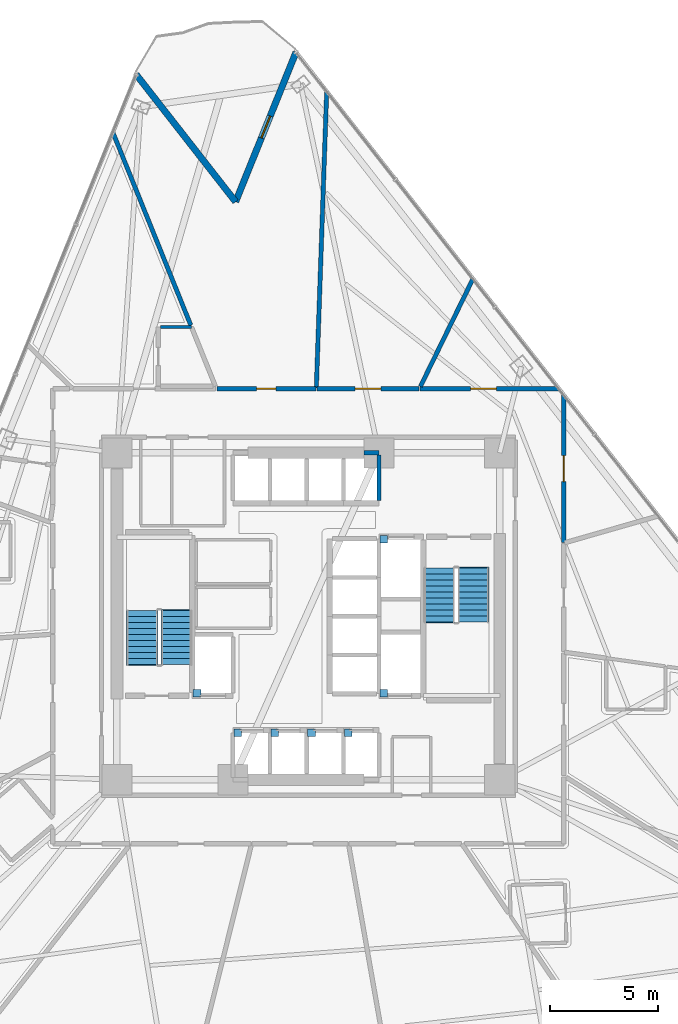
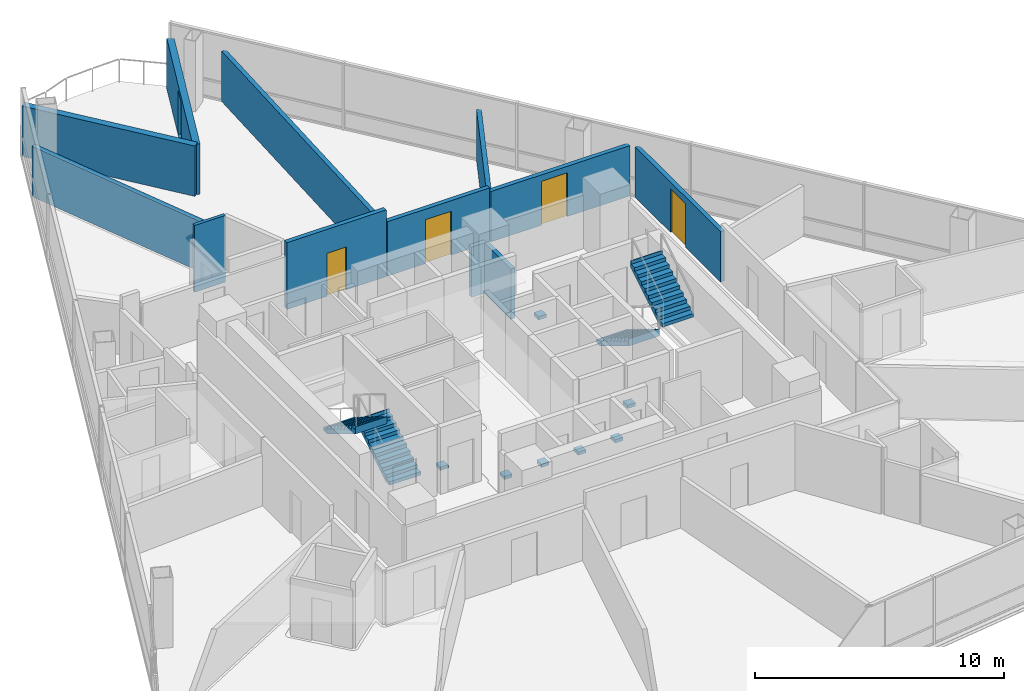
# One storey, part 10 of 15: 12 walls, 7 discrete accessories, 5 doors, 4 stair flights, 5 openings, 2 elements without a shape of their own.
"""IFC4 building model written with IfcOpenShell, lengths in metres."""

import ifcopenshell
import ifcopenshell.guid

model = None  # the IFC model being written
_history = None  # IfcOwnerHistory: only IFC2X3 demands one
_inside = {}  # id of a spatial element -> (the spatial element, [elements in it])
_under = {}  # id of a project, library or spatial element -> (it, [spatial elements below it])
_declared = {}  # id of a project -> (the project, [libraries it declares])
_typed = {}  # id of a type object -> (the type object, [elements of that type])
_made_of = {}  # id of a material, layer set ... -> (it, [elements and type objects made of it])


def new_model(schema):
    """Start an empty IFC model of exactly this schema.

    Asked for "IFC4X3", IfcOpenShell would pick the latest addendum, in which some entities
    have other attributes; the version numbers below select the first issue.
    IFC2X3 requires an IfcOwnerHistory on every rooted entity: one is made here for all.
    """
    global model, _history
    if schema == "IFC4X3":
        model = ifcopenshell.file(schema_version=(4, 3, 0, 0))
    else:
        model = ifcopenshell.file(schema=schema)
    _inside.clear()
    _under.clear()
    _declared.clear()
    _typed.clear()
    _made_of.clear()
    _history = None
    if model.schema == "IFC2X3":
        org = make("IfcOrganization", Name="unknown")
        user = make(
            "IfcPersonAndOrganization",
            ThePerson=make("IfcPerson", FamilyName="unknown"),
            TheOrganization=org,
        )
        app = make(
            "IfcApplication",
            ApplicationDeveloper=org,
            Version="unknown",
            ApplicationFullName="unknown",
            ApplicationIdentifier="unknown",
        )
        _history = make(
            "IfcOwnerHistory",
            OwningUser=user,
            OwningApplication=app,
            ChangeAction="ADDED",
            CreationDate=0,
        )
    return model


def make(cls, **values):
    """One entity of the class cls with the attributes given. An attribute that is None is left unset."""
    return model.create_entity(
        cls, **{name: value for name, value in values.items() if value is not None}
    )


def rooted(cls, **values):
    """An entity with a GlobalId (a new one), such as an element, a storey or a relation."""
    return make(cls, GlobalId=ifcopenshell.guid.new(), OwnerHistory=_history, **values)


def si_unit(unit_type, name, prefix=None):
    """IfcSIUnit, for example si_unit("LENGTHUNIT", "METRE", prefix="MILLI")."""
    return make("IfcSIUnit", UnitType=unit_type, Prefix=prefix, Name=name)


def assignment(units):
    """IfcUnitAssignment: the units of a project."""
    return None if units is None else make("IfcUnitAssignment", Units=units)


def point(xyz):
    """IfcCartesianPoint."""
    return None if xyz is None else make("IfcCartesianPoint", Coordinates=xyz)


def direction(xyz):
    """IfcDirection."""
    return None if xyz is None else make("IfcDirection", DirectionRatios=xyz)


def frame(location, z_axis=None, x_axis=None):
    """IfcAxis2Placement3D, a coordinate frame: its origin and axes. An axis left out is left unset."""
    return make(
        "IfcAxis2Placement3D",
        Location=point(location),
        Axis=direction(z_axis),
        RefDirection=direction(x_axis),
    )


def frame_2d(location, x_axis=None):
    """IfcAxis2Placement2D, a coordinate frame in the plane: its origin and x axis."""
    return make(
        "IfcAxis2Placement2D", Location=point(location), RefDirection=direction(x_axis)
    )


def origin():
    """The frame at (0, 0, 0) with its axes left unset."""
    return frame((0.0, 0.0, 0.0))


def origin_2d():
    """The frame at (0, 0) in the plane with its x axis left unset."""
    return frame_2d((0.0, 0.0))


def place(relative_to, where):
    """IfcLocalPlacement: puts the frame where relative to a parent placement (None: the world)."""
    return make(
        "IfcLocalPlacement", PlacementRelTo=relative_to, RelativePlacement=where
    )


def context(
    kind, dimensions, precision=None, world=None, true_north=None, identifier=None
):
    """IfcGeometricRepresentationContext, for example the 3D "Model" context."""
    return make(
        "IfcGeometricRepresentationContext",
        ContextIdentifier=identifier,
        ContextType=kind,
        CoordinateSpaceDimension=dimensions,
        Precision=precision,
        WorldCoordinateSystem=world,
        TrueNorth=true_north,
    )


def subcontext(parent, identifier, kind, view, scale=None):
    """IfcGeometricRepresentationSubContext, for example "Body" below "Model"."""
    return make(
        "IfcGeometricRepresentationSubContext",
        ContextIdentifier=identifier,
        ContextType=kind,
        ParentContext=parent,
        TargetScale=scale,
        TargetView=view,
    )


def project(units=None, contexts=None):
    """IfcProject with its units and contexts."""
    return rooted(
        "IfcProject",
        Name="project",
        RepresentationContexts=contexts,
        UnitsInContext=assignment(units),
    )


def spatial(cls, under=None, at=None, **own):
    """A site, building, storey or space (cls), placed at a placement, below another one or the project."""
    s = rooted(cls, ObjectPlacement=at, **own)
    if under is not None:
        _under.setdefault(under.id(), (under, []))[1].append(s)
    return s


def polyline(points):
    """IfcPolyline through the points."""
    return make("IfcPolyline", Points=[point(p) for p in points])


def profile(cls, at=None, kind="AREA", **sizes):
    """A parametric profile (cls). Its sizes go by their IFC names, for example OverallWidth=200.0."""
    return make(cls, ProfileType=kind, Position=at, **sizes)


def rectangle(**sizes):
    """IfcRectangleProfileDef."""
    return profile("IfcRectangleProfileDef", **sizes)


def outline(outer, holes=None, kind="AREA"):
    """IfcArbitraryClosedProfileDef: a profile drawn as a closed curve; with holes, ...WithVoids."""
    if holes is None:
        return make("IfcArbitraryClosedProfileDef", ProfileType=kind, OuterCurve=outer)
    return make(
        "IfcArbitraryProfileDefWithVoids",
        ProfileType=kind,
        OuterCurve=outer,
        InnerCurves=holes,
    )


def extrude(swept, where, along, depth):
    """IfcExtrudedAreaSolid: the profile swept, set in the frame where, extruded along a direction by depth."""
    return make(
        "IfcExtrudedAreaSolid",
        SweptArea=swept,
        Position=where,
        ExtrudedDirection=direction(along),
        Depth=depth,
    )


def shape(context_of_items, identifier, shape_type, items):
    """IfcShapeRepresentation: the items that make up one representation, for example the "Body"."""
    return make(
        "IfcShapeRepresentation",
        ContextOfItems=context_of_items,
        RepresentationIdentifier=identifier,
        RepresentationType=shape_type,
        Items=items,
    )


def material(Name=None, Category=None):
    """IfcMaterial."""
    return make("IfcMaterial", Name=Name, Category=Category)


def layer(
    of_material, thickness, ventilated=None, Name=None, Category=None, Priority=None
):
    """IfcMaterialLayer: one layer of a wall or slab, of a material (None: an air gap)."""
    return make(
        "IfcMaterialLayer",
        Material=of_material,
        LayerThickness=thickness,
        IsVentilated=ventilated,
        Name=Name,
        Category=Category,
        Priority=Priority,
    )


def layer_set(layers, Name=None):
    """IfcMaterialLayerSet."""
    return make("IfcMaterialLayerSet", MaterialLayers=layers, LayerSetName=Name)


def made_of(thing, what):
    """Note that an element or type object is made of a material, layer set ...; save() writes the relation."""
    if what is not None:
        _made_of.setdefault(what.id(), (what, []))[1].append(thing)
    return thing


def type_object(cls, material=None, **own):
    """A type object (cls), such as IfcWallType, which elements share."""
    return made_of(rooted(cls, **own), material)


def element(
    cls,
    number,
    at=None,
    inside=None,
    cuts=None,
    type_object=None,
    material=None,
    context=None,
    identifier="Body",
    shape_type=None,
    held_by="IfcProductDefinitionShape",
    body=None,
    shapes=None,
    **own,
):
    """One element of the class cls, such as IfcWall. Its Tag is "e" and its number.

    at: its placement. inside: the storey or other place that contains it. cuts: it is an
    opening in that element (IfcRelVoidsElement). A single representation is given by context,
    identifier, shape_type and body (its items); several are given by shapes. held_by: the class
    of the entity that holds the representations. save() writes the other relations.
    """
    e = rooted(cls, Tag="e%d" % number, ObjectPlacement=at, **own)
    if body is not None:
        shapes = [shape(context, identifier, shape_type, body)]
    if shapes is not None:
        e.Representation = make(held_by, Representations=shapes)
    if inside is not None:
        _inside.setdefault(inside.id(), (inside, []))[1].append(e)
    if cuts is not None:
        rooted(
            "IfcRelVoidsElement", RelatingBuildingElement=cuts, RelatedOpeningElement=e
        )
    if type_object is not None:
        _typed.setdefault(type_object.id(), (type_object, []))[1].append(e)
    return made_of(e, material)


def fill(opening, filler):
    """IfcRelFillsElement: the door or window that sits in an opening."""
    return rooted(
        "IfcRelFillsElement",
        RelatingOpeningElement=opening,
        RelatedBuildingElement=filler,
    )


def aggregate(whole, parts):
    """IfcRelAggregates: a whole, such as a stair, and the parts it consists of."""
    return rooted("IfcRelAggregates", RelatingObject=whole, RelatedObjects=parts)


def save(model, path):
    """Write the relations noted so far, then the file.

    IfcRelAggregates (storeys below a building ...), IfcRelContainedInSpatialStructure (elements
    in a storey), IfcRelDefinesByType, IfcRelAssociatesMaterial and IfcRelDeclares: one each for
    every whole, place, type object, material and project.
    """
    for whole, parts in _under.values():
        aggregate(whole, parts)
    for where, things in _inside.values():
        rooted(
            "IfcRelContainedInSpatialStructure",
            RelatedElements=things,
            RelatingStructure=where,
        )
    for kind, things in _typed.values():
        rooted("IfcRelDefinesByType", RelatedObjects=things, RelatingType=kind)
    for what, things in _made_of.values():
        rooted("IfcRelAssociatesMaterial", RelatedObjects=things, RelatingMaterial=what)
    for by, libraries in _declared.values():
        rooted("IfcRelDeclares", RelatingContext=by, RelatedDefinitions=libraries)
    model.write(path)


model = new_model("IFC4")

# Units and contexts
model_context = context("Model", 3, precision=1e-05, world=origin(), true_north=direction((0.0, 1.0)))
body_context = subcontext(model_context, "Body", "Model", "MODEL_VIEW")
ifc_project = project(units=[si_unit("LENGTHUNIT", "METRE"), si_unit("AREAUNIT", "SQUARE_METRE"), si_unit("VOLUMEUNIT", "CUBIC_METRE"), si_unit("PLANEANGLEUNIT", "RADIAN"), si_unit("MASSUNIT", "GRAM", prefix="KILO")], contexts=[model_context])

# Site, building, storey
site_placement = place(None, origin())
site = spatial("IfcSite", under=ifc_project, at=site_placement, CompositionType="ELEMENT")
building_placement = place(site_placement, origin())
building = spatial("IfcBuilding", under=site, at=building_placement, Name="Tharavind Bronze Gate", CompositionType="ELEMENT")
storey_placement = place(building_placement, frame((0.0, 0.0, 67.300048828125)))
storey = spatial("IfcBuildingStorey", under=building, at=storey_placement, Name="L16", CompositionType="ELEMENT", Elevation=67.300048828125)

# Wall, opening, door
ifc_material_1 = material(Name="Concrete C40/50", Category="concrete")
ifc_layer_1 = layer(ifc_material_1, 0.300048828125)
ifc_layer_set_1 = layer_set([ifc_layer_1], Name="Concrete C40/50")
wall_type_1 = type_object("IfcWallType", Name="EXTERIOR SPANDREL WALL 300", PredefinedType="STANDARD", material=ifc_layer_set_1)
wall_1_placement = place(storey_placement, frame((-0.57373046875, 26.226806640625, 0.0), z_axis=(0.0, 0.0, 1.0), x_axis=(-0.374609979755, -0.92718248639, 0.0)))
wall_1 = element("IfcWall", 1, at=wall_1_placement, inside=storey, type_object=wall_type_1, Name="L16 notch cheek wall 1A", PredefinedType="STANDARD", context=body_context, shape_type="SweptSolid", body=[
    extrude(rectangle(XDim=7.5, YDim=0.300048828125, at=frame_2d((3.75, 0.0))), origin(), (0.0, 0.0, 1.0), 2.469970703125),
])
opening_1_placement = place(wall_1_placement, frame((3.199951171875, 0.0, 0.0)))
opening_1 = element("IfcOpeningElement", 2, at=opening_1_placement, cuts=wall_1, Name="Opening ED04", PredefinedType="OPENING", context=body_context, shape_type="SweptSolid", body=[
    extrude(rectangle(XDim=1.10009765625, YDim=2.199951171875, at=frame_2d((0.550048828125, 1.10009765625))), frame((0.0, 0.15990234375, 0.0), z_axis=(0.0, -1.0, 0.0), x_axis=(1.0, 0.0, 0.0)), (0.0, 0.0, 1.0), 0.320048828125),
])
ifc_material_2 = material(Name="Bronze Aluminium & Toughened Glass", Category="aluminium")
door_type_1 = type_object("IfcDoorType", Name="TREE BALCONY ACCESS DOOR 1100X2200", OperationType="SINGLE_SWING_LEFT", PredefinedType="DOOR", material=ifc_material_2)
door_1_placement = place(opening_1_placement, origin())
door_1 = element("IfcDoor", 3, at=door_1_placement, inside=storey, type_object=door_type_1, Name="L16 tree balcony access door", OperationType="SINGLE_SWING_LEFT", OverallHeight=2.199951171875, OverallWidth=1.10009765625, PredefinedType="DOOR", context=body_context, shape_type="SweptSolid", body=[
    extrude(rectangle(XDim=1.10009765625, YDim=2.199951171875, at=frame_2d((0.550048828125, 1.10009765625))), frame((0.0, 0.02490234375, 0.0), z_axis=(0.0, -1.0, 0.0), x_axis=(1.0, 0.0, 0.0)), (0.0, 0.0, 1.0), 0.050048828125),
])
fill(opening_1, door_1)

# Wall
wall_2_placement = place(storey_placement, frame((-3.38330078125, 19.27294921875, 0.0), z_axis=(0.0, 0.0, 1.0), x_axis=(-0.615654149001, 0.788016477504, 0.0)))
element("IfcWall", 4, at=wall_2_placement, inside=storey, type_object=wall_type_1, Name="L16 notch cheek wall 1B", PredefinedType="STANDARD", context=body_context, shape_type="SweptSolid", body=[
    extrude(rectangle(XDim=7.5, YDim=0.300048828125, at=frame_2d((3.75, 0.0))), origin(), (0.0, 0.0, 1.0), 2.469970703125),
])

# Wall, opening, door
ifc_material_3 = material(Name="Aerated Concrete Block", Category="concrete")
ifc_layer_2 = layer(ifc_material_3, 0.199951171875)
ifc_layer_set_2 = layer_set([ifc_layer_2], Name="Aerated Concrete Block")
wall_type_2 = type_object("IfcWallType", Name="FIRE RATED PARTITION 200", PredefinedType="PARTITIONING", material=ifc_layer_set_2)
wall_3_placement = place(storey_placement, frame((11.8798828125, 3.439697265625, 0.0), z_axis=(0.0, 0.0, 1.0), x_axis=(0.0, 1.0, 0.0)))
wall_3 = element("IfcWall", 5, at=wall_3_placement, inside=storey, type_object=wall_type_2, Name="L16 Hotel Club Lounge partition", PredefinedType="PARTITIONING", context=body_context, shape_type="SweptSolid", body=[
    extrude(rectangle(XDim=6.84716796875, YDim=0.199951171875, at=frame_2d((3.423583984375, 0.0))), origin(), (0.0, 0.0, 1.0), 2.469970703125),
])
opening_2_placement = place(wall_3_placement, frame((2.823974609375, 0.0, 0.0)))
opening_2 = element("IfcOpeningElement", 6, at=opening_2_placement, cuts=wall_3, Name="Opening ID05", PredefinedType="OPENING", context=body_context, shape_type="SweptSolid", body=[
    extrude(rectangle(XDim=1.199951171875, YDim=2.14990234375, at=frame_2d((0.60009765625, 1.074951171875))), frame((0.0, 0.11009765625, 0.0), z_axis=(0.0, -1.0, 0.0), x_axis=(1.0, 0.0, 0.0)), (0.0, 0.0, 1.0), 0.219951171875),
])
ifc_material_4 = material(Name="Acoustic Laminated Glass", Category="glass")
door_type_2 = type_object("IfcDoorType", Name="MEETING ROOM GLAZED DOOR 1200X2150", OperationType="SINGLE_SWING_LEFT", PredefinedType="DOOR", material=ifc_material_4)
door_2_placement = place(opening_2_placement, origin())
door_2 = element("IfcDoor", 7, at=door_2_placement, inside=storey, type_object=door_type_2, Name="L16 Hotel Club Lounge door", OperationType="SINGLE_SWING_LEFT", OverallHeight=2.14990234375, OverallWidth=1.199951171875, PredefinedType="DOOR", context=body_context, shape_type="SweptSolid", body=[
    extrude(rectangle(XDim=1.199951171875, YDim=2.14990234375, at=frame_2d((0.60009765625, 1.074951171875))), frame((0.0, 0.02490234375, 0.0), z_axis=(0.0, -1.0, 0.0), x_axis=(1.0, 0.0, 0.0)), (0.0, 0.0, 1.0), 0.050048828125),
])
fill(opening_2, door_2)

wall_4_placement = place(storey_placement, frame((11.65087890625, 10.580078125, 0.0), z_axis=(0.0, 0.0, 1.0), x_axis=(-1.0, 0.0, 0.0)))
wall_4 = element("IfcWall", 8, at=wall_4_placement, inside=storey, type_object=wall_type_2, Name="L16 Hotel Guest Lounge partition", PredefinedType="PARTITIONING", context=body_context, shape_type="SweptSolid", body=[
    extrude(rectangle(XDim=6.45068359375, YDim=0.199951171875, at=frame_2d((3.225341796875, 0.0))), origin(), (0.0, 0.0, 1.0), 2.469970703125),
])
opening_3_placement = place(wall_4_placement, frame((2.905029296875, 0.0, 0.0)))
opening_3 = element("IfcOpeningElement", 9, at=opening_3_placement, cuts=wall_4, Name="Opening ID05", PredefinedType="OPENING", context=body_context, shape_type="SweptSolid", body=[
    extrude(rectangle(XDim=1.199951171875, YDim=2.14990234375, at=frame_2d((0.60009765625, 1.074951171875))), frame((0.0, 0.11009765625, 0.0), z_axis=(0.0, -1.0, 0.0), x_axis=(1.0, 0.0, 0.0)), (0.0, 0.0, 1.0), 0.219951171875),
])
door_3_placement = place(opening_3_placement, origin())
door_3 = element("IfcDoor", 10, at=door_3_placement, inside=storey, type_object=door_type_2, Name="L16 Hotel Guest Lounge door", OperationType="SINGLE_SWING_LEFT", OverallHeight=2.14990234375, OverallWidth=1.199951171875, PredefinedType="DOOR", context=body_context, shape_type="SweptSolid", body=[
    extrude(rectangle(XDim=1.199951171875, YDim=2.14990234375, at=frame_2d((0.60009765625, 1.074951171875))), frame((0.0, 0.02490234375, 0.0), z_axis=(0.0, -1.0, 0.0), x_axis=(1.0, 0.0, 0.0)), (0.0, 0.0, 1.0), 0.050048828125),
])
fill(opening_3, door_3)

# Wall
wall_5_placement = place(storey_placement, frame((5.21142578125, 10.68505859375, 0.0), z_axis=(0.0, 0.0, 1.0), x_axis=(0.438361496965, 0.898798752769, 0.0)))
element("IfcWall", 11, at=wall_5_placement, inside=storey, type_object=wall_type_2, Name="L16 Hotel Guest Lounge partition", PredefinedType="PARTITIONING", context=body_context, shape_type="SweptSolid", body=[
    extrude(rectangle(XDim=5.57373046875, YDim=0.199951171875, at=frame_2d((2.786865234375, 0.0))), origin(), (0.0, 0.0, 1.0), 2.469970703125),
])

# Wall, opening, door
wall_6_placement = place(storey_placement, frame((5.14453125, 10.580078125, 0.0), z_axis=(0.0, 0.0, 1.0), x_axis=(-1.0, 0.0, 0.0)))
wall_6 = element("IfcWall", 12, at=wall_6_placement, inside=storey, type_object=wall_type_2, Name="L16 Hotel Guest Lounge partition", PredefinedType="PARTITIONING", context=body_context, shape_type="SweptSolid", body=[
    extrude(rectangle(XDim=4.749267578125, YDim=0.199951171875, at=frame_2d((2.37451171875, 0.0))), origin(), (0.0, 0.0, 1.0), 2.669921875),
])
opening_4_placement = place(wall_6_placement, frame((1.77490234375, 0.0, 0.0)))
opening_4 = element("IfcOpeningElement", 13, at=opening_4_placement, cuts=wall_6, Name="Opening ID05", PredefinedType="OPENING", context=body_context, shape_type="SweptSolid", body=[
    extrude(rectangle(XDim=1.199951171875, YDim=2.14990234375, at=frame_2d((0.60009765625, 1.074951171875))), frame((0.0, 0.11009765625, 0.0), z_axis=(0.0, -1.0, 0.0), x_axis=(1.0, 0.0, 0.0)), (0.0, 0.0, 1.0), 0.219951171875),
])
door_4_placement = place(opening_4_placement, origin())
door_4 = element("IfcDoor", 14, at=door_4_placement, inside=storey, type_object=door_type_2, Name="L16 Hotel Guest Lounge door", OperationType="SINGLE_SWING_LEFT", OverallHeight=2.14990234375, OverallWidth=1.199951171875, PredefinedType="DOOR", context=body_context, shape_type="SweptSolid", body=[
    extrude(rectangle(XDim=1.199951171875, YDim=2.14990234375, at=frame_2d((0.60009765625, 1.074951171875))), frame((0.0, 0.02490234375, 0.0), z_axis=(0.0, -1.0, 0.0), x_axis=(1.0, 0.0, 0.0)), (0.0, 0.0, 1.0), 0.050048828125),
])
fill(opening_4, door_4)

# Wall
wall_7_placement = place(storey_placement, frame((0.370361328125, 10.60595703125, 0.0), z_axis=(0.0, 0.0, 1.0), x_axis=(0.03489353046, 0.999391035347, 0.0)))
element("IfcWall", 15, at=wall_7_placement, inside=storey, type_object=wall_type_2, Name="L16 Hotel Guest Lounge partition", PredefinedType="PARTITIONING", context=body_context, shape_type="SweptSolid", body=[
    extrude(rectangle(XDim=13.804443359375, YDim=0.199951171875, at=frame_2d((6.90234375, 0.0))), origin(), (0.0, 0.0, 1.0), 2.469970703125),
])

# Wall, opening, door
wall_8_placement = place(storey_placement, frame((0.34521484375, 10.580078125, 0.0), z_axis=(0.0, 0.0, 1.0), x_axis=(-1.0, 0.0, 0.0)))
wall_8 = element("IfcWall", 16, at=wall_8_placement, inside=storey, type_object=wall_type_2, Name="L16 Housekeeping & Linen Room partition", PredefinedType="PARTITIONING", context=body_context, shape_type="SweptSolid", body=[
    extrude(rectangle(XDim=4.60302734375, YDim=0.199951171875, at=frame_2d((2.301513671875, 0.0))), origin(), (0.0, 0.0, 1.0), 3.27490234375),
])
opening_5_placement = place(wall_8_placement, frame((1.85107421875, 0.0, 0.0)))
opening_5 = element("IfcOpeningElement", 17, at=opening_5_placement, cuts=wall_8, Name="Opening ID07", PredefinedType="OPENING", context=body_context, shape_type="SweptSolid", body=[
    extrude(rectangle(XDim=0.89990234375, YDim=2.10009765625, at=frame_2d((0.449951171875, 1.050048828125))), frame((0.0, 0.11009765625, 0.0), z_axis=(0.0, -1.0, 0.0), x_axis=(1.0, 0.0, 0.0)), (0.0, 0.0, 1.0), 0.219951171875),
])
ifc_material_5 = material(Name="Galvanised Fire Steel", Category="steel")
door_type_3 = type_object("IfcDoorType", Name="PLANT AND RISER FIRE DOOR 900X2100", OperationType="SINGLE_SWING_LEFT", PredefinedType="DOOR", material=ifc_material_5)
door_5_placement = place(opening_5_placement, origin())
door_5 = element("IfcDoor", 18, at=door_5_placement, inside=storey, type_object=door_type_3, Name="L16 Housekeeping & Linen Room door", OperationType="SINGLE_SWING_LEFT", OverallHeight=2.10009765625, OverallWidth=0.89990234375, PredefinedType="DOOR", context=body_context, shape_type="SweptSolid", body=[
    extrude(rectangle(XDim=0.89990234375, YDim=2.10009765625, at=frame_2d((0.449951171875, 1.050048828125))), frame((0.0, 0.02490234375, 0.0), z_axis=(0.0, -1.0, 0.0), x_axis=(1.0, 0.0, 0.0)), (0.0, 0.0, 1.0), 0.050048828125),
])
fill(opening_5, door_5)

# Walls
wall_9_placement = place(storey_placement, frame((-5.466552734375, 13.530029296875, 0.0), z_axis=(0.0, 0.0, 1.0), x_axis=(-0.374609771438, 0.927182570556, 0.0)))
element("IfcWall", 19, at=wall_9_placement, inside=storey, type_object=wall_type_2, Name="L16 Housekeeping & Linen Room partition", PredefinedType="PARTITIONING", context=body_context, shape_type="SweptSolid", body=[
    extrude(rectangle(XDim=9.656494140625, YDim=0.199951171875, at=frame_2d((4.828125, 0.0))), origin(), (0.0, 0.0, 1.0), 2.469970703125),
])
ifc_material_6 = material(Name="Twin Stud Acoustic Gypsum", Category="gypsum")
ifc_layer_3 = layer(ifc_material_6, 0.14990234375)
ifc_layer_set_3 = layer_set([ifc_layer_3], Name="Twin Stud Acoustic Gypsum")
wall_type_3 = type_object("IfcWallType", Name="INTERIOR PARTITION WALL 150", PredefinedType="PARTITIONING", material=ifc_layer_set_3)
wall_10_placement = place(storey_placement, frame((-6.8681640625, 13.449951171875, 0.0), z_axis=(0.0, 0.0, 1.0), x_axis=(1.0, 0.0, 0.0)))
element("IfcWall", 20, at=wall_10_placement, inside=storey, type_object=wall_type_3, Name="L16 En-Suite Bathroom partition", PredefinedType="PARTITIONING", context=body_context, shape_type="SweptSolid", body=[
    extrude(rectangle(XDim=1.43408203125, YDim=0.14990234375, at=frame_2d((0.717041015625, 0.0))), origin(), (0.0, 0.0, 1.0), 3.27490234375),
])
ifc_layer_4 = layer(ifc_material_1, 0.199951171875)
ifc_layer_set_4 = layer_set([ifc_layer_4], Name="Concrete C40/50")
wall_type_4 = type_object("IfcWallType", Name="SHAFT ENCLOSURE WALL 200", PredefinedType="PARTITIONING", material=ifc_layer_set_4)
wall_11_placement = place(storey_placement, frame((2.580078125, 7.60009765625, 0.0), z_axis=(0.0, 0.0, 1.0), x_axis=(1.0, 0.0, 0.0)))
element("IfcWall", 21, at=wall_11_placement, inside=storey, type_object=wall_type_4, Name="L16 lift PL8 shaft N enclosure wall", PredefinedType="PARTITIONING", context=body_context, shape_type="SweptSolid", body=[
    extrude(rectangle(XDim=0.699951171875, YDim=0.199951171875, at=frame_2d((0.35009765625, 0.0))), origin(), (0.0, 0.0, 1.0), 2.469970703125),
])
wall_12_placement = place(storey_placement, frame((3.280029296875, 5.3798828125, 0.0), z_axis=(0.0, 0.0, 1.0), x_axis=(0.0, 1.0, 0.0)))
element("IfcWall", 22, at=wall_12_placement, inside=storey, type_object=wall_type_4, Name="L16 lift PL8 shaft E enclosure wall", PredefinedType="PARTITIONING", context=body_context, shape_type="SweptSolid", body=[
    extrude(rectangle(XDim=2.115234375, YDim=0.199951171875, at=frame_2d((1.0576171875, 0.0))), origin(), (0.0, 0.0, 1.0), 2.469970703125),
])

# Stair, stair flights
stair_type = type_object("IfcStairType", Name="CORE HALF TURN STAIR 1450", PredefinedType="HALF_TURN_STAIR", material=ifc_material_1)
stair_1_placement = place(storey_placement, origin())
stair_1 = element("IfcStair", 23, at=stair_1_placement, inside=storey, type_object=stair_type, Name="L16 Protected Exit Stair ST1", PredefinedType="HALF_TURN_STAIR")
stair_flight_type = type_object("IfcStairFlightType", Name="CORE STAIR FLIGHT 1450", PredefinedType="STRAIGHT", material=ifc_material_1)
stair_flight_1_placement = place(storey_placement, frame((-6.125, -2.25, 0.0), z_axis=(0.0, 0.0, 1.0), x_axis=(0.0, 1.0, 0.0)))
stair_flight_1 = element("IfcStairFlight", 24, at=stair_flight_1_placement, type_object=stair_flight_type, Name="ST1 flight 1", NumberOfRisers=10, NumberOfTreads=9, PredefinedType="STRAIGHT", RiserHeight=0.1725, TreadLength=0.28, context=body_context, shape_type="SweptSolid", body=[
    extrude(outline(polyline([(0.0, 0.0), (0.0, 0.172607421875), (0.280029296875, 0.172607421875), (0.280029296875, 0.344970703125), (0.56005859375, 0.344970703125), (0.56005859375, 0.517578125), (0.840087890625, 0.517578125), (0.840087890625, 0.68994140625), (1.1201171875, 0.68994140625), (1.1201171875, 0.862548828125), (1.39990234375, 0.862548828125), (1.39990234375, 1.034912109375), (1.679931640625, 1.034912109375), (1.679931640625, 1.20751953125), (1.9599609375, 1.20751953125), (1.9599609375, 1.3798828125), (2.239990234375, 1.3798828125), (2.239990234375, 1.552490234375), (2.52001953125, 1.552490234375), (2.52001953125, 1.72509765625), (2.555908203125, 1.72509765625), (2.555908203125, 1.37646484375), (0.285888671875, 0.0), (0.0, 0.0)])), frame((0.0, 0.72509765625, 0.0), z_axis=(0.0, -1.0, 0.0), x_axis=(1.0, 0.0, 0.0)), (0.0, 0.0, 1.0), 1.449951171875),
])
stair_flight_2_placement = place(storey_placement, frame((-7.72509765625, 0.27001953125, 1.724853515625), z_axis=(0.0, 0.0, 1.0), x_axis=(0.0, -1.0, 0.0)))
stair_flight_2 = element("IfcStairFlight", 25, at=stair_flight_2_placement, type_object=stair_flight_type, Name="ST1 flight 2", NumberOfRisers=10, NumberOfTreads=9, PredefinedType="STRAIGHT", RiserHeight=0.1725, TreadLength=0.28, context=body_context, shape_type="SweptSolid", body=[
    extrude(outline(polyline([(0.0, 0.0), (0.0, 0.172607421875), (0.280029296875, 0.172607421875), (0.280029296875, 0.344970703125), (0.56005859375, 0.344970703125), (0.56005859375, 0.517578125), (0.840087890625, 0.517578125), (0.840087890625, 0.68994140625), (1.1201171875, 0.68994140625), (1.1201171875, 0.862548828125), (1.39990234375, 0.862548828125), (1.39990234375, 1.034912109375), (1.679931640625, 1.034912109375), (1.679931640625, 1.20751953125), (1.9599609375, 1.20751953125), (1.9599609375, 1.3798828125), (2.239990234375, 1.3798828125), (2.239990234375, 1.552490234375), (2.52001953125, 1.552490234375), (2.52001953125, 1.72509765625), (2.555908203125, 1.72509765625), (2.555908203125, 1.37646484375), (0.285888671875, 0.0), (0.0, 0.0)])), frame((0.0, 0.72509765625, 0.0), z_axis=(0.0, -1.0, 0.0), x_axis=(1.0, 0.0, 0.0)), (0.0, 0.0, 1.0), 1.449951171875),
])
aggregate(stair_1, [stair_flight_1, stair_flight_2])

stair_2_placement = place(storey_placement, origin())
stair_2 = element("IfcStair", 26, at=stair_2_placement, inside=storey, type_object=stair_type, Name="L16 Protected Exit Stair ST2", PredefinedType="HALF_TURN_STAIR")
stair_flight_3_placement = place(storey_placement, frame((6.074951171875, 2.25, 0.0), z_axis=(0.0, 0.0, 1.0), x_axis=(0.0, -1.0, 0.0)))
stair_flight_3 = element("IfcStairFlight", 27, at=stair_flight_3_placement, type_object=stair_flight_type, Name="ST2 flight 1", NumberOfRisers=10, NumberOfTreads=9, PredefinedType="STRAIGHT", RiserHeight=0.1725, TreadLength=0.28, context=body_context, shape_type="SweptSolid", body=[
    extrude(outline(polyline([(0.0, 0.0), (0.0, 0.172607421875), (0.280029296875, 0.172607421875), (0.280029296875, 0.344970703125), (0.56005859375, 0.344970703125), (0.56005859375, 0.517578125), (0.840087890625, 0.517578125), (0.840087890625, 0.68994140625), (1.1201171875, 0.68994140625), (1.1201171875, 0.862548828125), (1.39990234375, 0.862548828125), (1.39990234375, 1.034912109375), (1.679931640625, 1.034912109375), (1.679931640625, 1.20751953125), (1.9599609375, 1.20751953125), (1.9599609375, 1.3798828125), (2.239990234375, 1.3798828125), (2.239990234375, 1.552490234375), (2.52001953125, 1.552490234375), (2.52001953125, 1.72509765625), (2.555908203125, 1.72509765625), (2.555908203125, 1.37646484375), (0.285888671875, 0.0), (0.0, 0.0)])), frame((0.0, 0.72509765625, 0.0), z_axis=(0.0, -1.0, 0.0), x_axis=(1.0, 0.0, 0.0)), (0.0, 0.0, 1.0), 1.449951171875),
])
stair_flight_4_placement = place(storey_placement, frame((7.675048828125, -0.27001953125, 1.724853515625), z_axis=(0.0, 0.0, 1.0), x_axis=(0.0, 1.0, 0.0)))
stair_flight_4 = element("IfcStairFlight", 28, at=stair_flight_4_placement, type_object=stair_flight_type, Name="ST2 flight 2", NumberOfRisers=10, NumberOfTreads=9, PredefinedType="STRAIGHT", RiserHeight=0.1725, TreadLength=0.28, context=body_context, shape_type="SweptSolid", body=[
    extrude(outline(polyline([(0.0, 0.0), (0.0, 0.172607421875), (0.280029296875, 0.172607421875), (0.280029296875, 0.344970703125), (0.56005859375, 0.344970703125), (0.56005859375, 0.517578125), (0.840087890625, 0.517578125), (0.840087890625, 0.68994140625), (1.1201171875, 0.68994140625), (1.1201171875, 0.862548828125), (1.39990234375, 0.862548828125), (1.39990234375, 1.034912109375), (1.679931640625, 1.034912109375), (1.679931640625, 1.20751953125), (1.9599609375, 1.20751953125), (1.9599609375, 1.3798828125), (2.239990234375, 1.3798828125), (2.239990234375, 1.552490234375), (2.52001953125, 1.552490234375), (2.52001953125, 1.72509765625), (2.555908203125, 1.72509765625), (2.555908203125, 1.37646484375), (0.285888671875, 0.0), (0.0, 0.0)])), frame((0.0, 0.72509765625, 0.0), z_axis=(0.0, -1.0, 0.0), x_axis=(1.0, 0.0, 0.0)), (0.0, 0.0, 1.0), 1.449951171875),
])
aggregate(stair_2, [stair_flight_3, stair_flight_4])

# Discrete accessories
ifc_material_7 = material(Name="Galvanised Steel S355", Category="steel")
discrete_accessory_type = type_object("IfcDiscreteAccessoryType", Name="LIFT GUIDE RAIL BRACKET", PredefinedType="BRACKET", material=ifc_material_7)
for number, where, z_axis, x_axis, name in (
    (29, (-3.280029296875, -5.419921875, 1.1201171875), (0.0, 0.0, 1.0), (1.0, 0.0, 0.0), "Lift PL1 guide rail bracket at L16"),
    (30, (-1.5673828125, -5.419921875, 1.1201171875), (0.0, 0.0, 1.0), (1.0, 0.0, 0.0), "Lift PL2 guide rail bracket at L16"),
    (31, (0.14501953125, -5.419921875, 1.1201171875), (0.0, 0.0, 1.0), (1.0, 0.0, 0.0), "Lift PL3 guide rail bracket at L16"),
    (32, (1.857421875, -5.419921875, 1.1201171875), (0.0, 0.0, 1.0), (1.0, 0.0, 0.0), "Lift PL4 guide rail bracket at L16"),
    (33, (-5.179931640625, -3.580078125, 1.1201171875), (0.0, 0.0, 1.0), (1.0, 0.0, 0.0), "Lift FFL1 guide rail bracket at L16"),
    (34, (3.5, 3.580078125, 1.1201171875), (0.0, 0.0, 1.0), (1.0, 0.0, 0.0), "Lift FFL2 guide rail bracket at L16"),
    (35, (3.5, -3.580078125, 1.1201171875), (0.0, 0.0, 1.0), (1.0, 0.0, 0.0), "Lift SVL1 guide rail bracket at L16"),
):
    element("IfcDiscreteAccessory", number, at=place(storey_placement, frame(where, z_axis=z_axis, x_axis=x_axis)), inside=storey, type_object=discrete_accessory_type, Name=name, PredefinedType="BRACKET", context=body_context, shape_type="SweptSolid", body=[
        extrude(rectangle(XDim=0.360107421875, YDim=0.360107421875, at=origin_2d()), origin(), (0.0, 0.0, 1.0), 0.159912109375),
    ])

save(model, "model.ifc")
